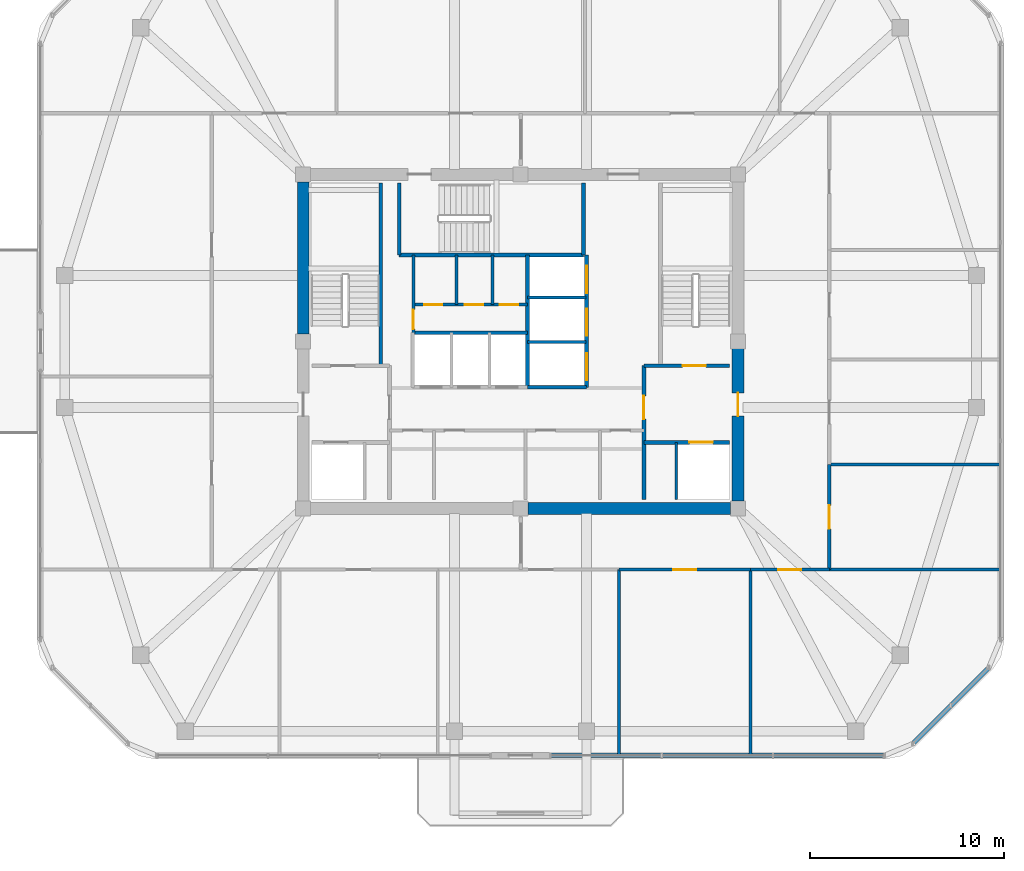
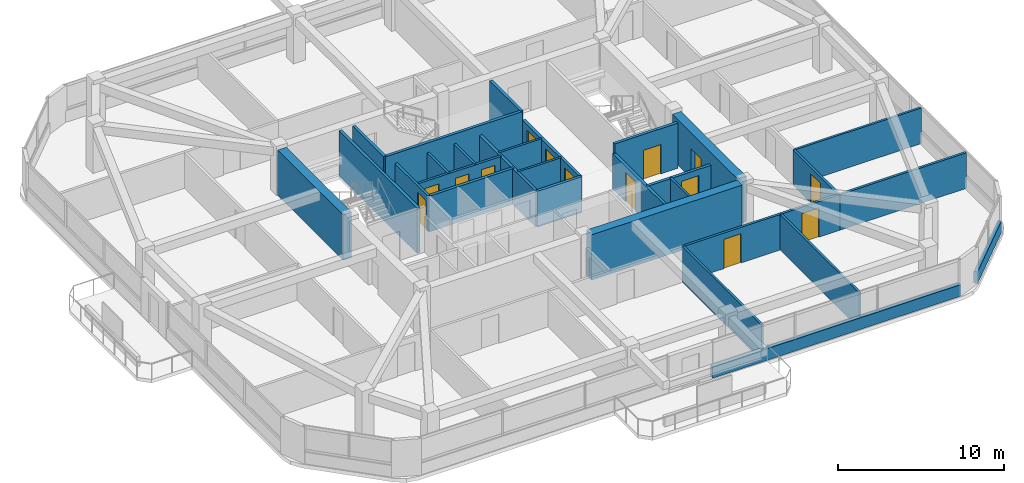
# One storey, part 9 of 12: 30 walls, 14 doors, 14 openings.
"""IFC4 building model written with IfcOpenShell, lengths in metres."""

from ifc_helpers import new_model, si_unit, derived_unit, direction, frame, frame_2d, origin, place, context, subcontext, project, spatial, rectangle, extrude, material, layer, layer_set, type_object, element, fill, save


model = new_model("IFC4")

# Units and contexts
model_context = context("Model", 3, precision=1e-05, world=origin(), true_north=direction((0.0, 1.0)))
body_context = subcontext(model_context, "Body", "Model", "MODEL_VIEW")
ifc_project = project(units=[si_unit("LENGTHUNIT", "METRE"), si_unit("AREAUNIT", "SQUARE_METRE"), si_unit("VOLUMEUNIT", "CUBIC_METRE"), si_unit("PLANEANGLEUNIT", "RADIAN"), si_unit("MASSUNIT", "GRAM", prefix="KILO"), derived_unit("THERMALTRANSMITTANCEUNIT", [(si_unit("POWERUNIT", "WATT"), 1), (si_unit("LENGTHUNIT", "METRE"), -2), (si_unit("THERMODYNAMICTEMPERATUREUNIT", "KELVIN"), -1)])], contexts=[model_context])

# Site, building, storey
site_placement = place(None, origin())
site = spatial("IfcSite", under=ifc_project, at=site_placement, CompositionType="ELEMENT")
building_placement = place(site_placement, origin())
building = spatial("IfcBuilding", under=site, at=building_placement, Name="Koralith Skygarden Medical Center", CompositionType="ELEMENT")
storey_placement = place(building_placement, frame((0.0, 0.0, 278.820068359375)))
storey = spatial("IfcBuildingStorey", under=building, at=storey_placement, Name="L72", CompositionType="ELEMENT", Elevation=278.820068359375)

# Walls
ifc_material_1 = material(Name="Gypsum Board Partition")
ifc_layer_1 = layer(ifc_material_1, 0.14990234375)
ifc_layer_set_1 = layer_set([ifc_layer_1], Name="Gypsum Board Partition")
wall_type_1 = type_object("IfcWallType", Name="Clinical Acoustic Partition 150", PredefinedType="PARTITIONING", material=ifc_layer_set_1)
for number, where, z_axis, x_axis, name in (
    (1, (33.699951171875, 27.800048828125, 0.0), (0.0, 0.0, 1.0), (0.0, 1.0, 0.0), "L72 Clinical Acoustic Partition 150 W-CORE-L72-FLEX-V2A"),
    (2, (35.56005859375, 27.800048828125, 0.0), (0.0, 0.0, 1.0), (0.0, 1.0, 0.0), "L72 Clinical Acoustic Partition 150 W-CORE-L72-FLEX-V2B"),
):
    element("IfcWall", number, at=place(storey_placement, frame(where, z_axis=z_axis, x_axis=x_axis)), inside=storey, type_object=wall_type_1, Name=name, PredefinedType="PARTITIONING", context=body_context, shape_type="SweptSolid", body=[
        extrude(rectangle(XDim=2.56005859375, YDim=0.14990234375, at=frame_2d((1.280029296875, 0.0))), origin(), (0.0, 0.0, 1.0), 2.60986328125),
    ])
for number, where, z_axis, x_axis, name in (
    (3, (42.076904296875, 14.14990234375, 0.0), (0.0, 0.0, 1.0), (0.0, -1.0, 0.0), "L72 Clinical Acoustic Partition 150 W-PART-L72-S-03"),
    (4, (48.840087890625, 14.14990234375, 0.0), (0.0, 0.0, 1.0), (0.0, -1.0, 0.0), "L72 Clinical Acoustic Partition 150 W-PART-L72-S-04"),
):
    element("IfcWall", number, at=place(storey_placement, frame(where, z_axis=z_axis, x_axis=x_axis)), inside=storey, type_object=wall_type_1, Name=name, PredefinedType="PARTITIONING", context=body_context, shape_type="SweptSolid", body=[
        extrude(rectangle(XDim=9.5498046875, YDim=0.14990234375, at=frame_2d((4.77490234375, 0.0))), origin(), (0.0, 0.0, 1.0), 2.60986328125),
    ])
wall_1_placement = place(storey_placement, frame((52.89990234375, 19.554931640625, 0.0), z_axis=(0.0, 0.0, 1.0), x_axis=(1.0, 0.0, 0.0)))
element("IfcWall", 5, at=wall_1_placement, inside=storey, type_object=wall_type_1, Name="L72 Clinical Acoustic Partition 150 W-PART-L72-E-01", PredefinedType="PARTITIONING", context=body_context, shape_type="SweptSolid", body=[
    extrude(rectangle(XDim=8.800048828125, YDim=0.14990234375, at=frame_2d((4.39990234375, 0.0))), origin(), (0.0, 0.0, 1.0), 2.60986328125),
])
ifc_layer_2 = layer(ifc_material_1, 0.1650390625)
ifc_layer_set_2 = layer_set([ifc_layer_2], Name="Gypsum Board Partition")
wall_type_2 = type_object("IfcWallType", Name="Clinical Corridor Partition 165", PredefinedType="PARTITIONING", material=ifc_layer_set_2)
wall_2_placement = place(storey_placement, frame((52.89990234375, 14.14990234375, 0.0), z_axis=(0.0, 0.0, 1.0), x_axis=(1.0, 0.0, 0.0)))
element("IfcWall", 6, at=wall_2_placement, inside=storey, type_object=wall_type_2, Name="L72 Clinical Corridor Partition 165 W-WB-L72-SE", PredefinedType="PARTITIONING", context=body_context, shape_type="SweptSolid", body=[
    extrude(rectangle(XDim=8.800048828125, YDim=0.1650390625, at=frame_2d((4.39990234375, 0.0))), origin(), (0.0, 0.0, 1.0), 2.60986328125),
])

# Wall, opening, door
wall_3_placement = place(storey_placement, frame((42.076904296875, 14.14990234375, 0.0), z_axis=(0.0, 0.0, 1.0), x_axis=(1.0, 0.0, 0.0)))
wall_3 = element("IfcWall", 7, at=wall_3_placement, inside=storey, type_object=wall_type_2, Name="L72 Clinical Corridor Partition 165 W-CORR-L72-S-04", PredefinedType="PARTITIONING", context=body_context, shape_type="SweptSolid", body=[
    extrude(rectangle(XDim=6.76318359375, YDim=0.1650390625, at=frame_2d((3.381591796875, 0.0))), origin(), (0.0, 0.0, 1.0), 2.60986328125),
])
opening_1_placement = place(wall_3_placement, frame((2.781982421875, 0.0, 0.0)))
opening_1 = element("IfcOpeningElement", 8, at=opening_1_placement, cuts=wall_3, Name="Opening D-CLN", PredefinedType="OPENING", context=body_context, shape_type="SweptSolid", body=[
    extrude(rectangle(XDim=1.199951171875, YDim=2.14990234375, at=frame_2d((0.60009765625, 1.074951171875))), frame((0.0, 0.092529296875, 0.0), z_axis=(0.0, -1.0, 0.0), x_axis=(1.0, 0.0, 0.0)), (0.0, 0.0, 1.0), 0.18505859375),
])
ifc_material_2 = material(Name="Aluminium 6063-T6", Category="aluminium")
door_type_1 = type_object("IfcDoorType", Name="Clinical Corridor Door D-CLN 1200", OperationType="NOTDEFINED", PredefinedType="DOOR", material=ifc_material_2)
door_1_placement = place(opening_1_placement, frame((1.199951171875, 0.0, 0.0), z_axis=(0.0, 0.0, 1.0), x_axis=(-1.0, 0.0, 0.0)))
door_1 = element("IfcDoor", 9, at=door_1_placement, inside=storey, type_object=door_type_1, Name="L72 Physician Reading Lounge 08 Door", OperationType="SINGLE_SWING_LEFT", OverallHeight=2.14990234375, OverallWidth=1.199951171875, PredefinedType="DOOR", context=body_context, shape_type="SweptSolid", body=[
    extrude(rectangle(XDim=1.199951171875, YDim=2.14990234375, at=frame_2d((0.60009765625, 1.074951171875))), frame((0.0, 0.02490234375, 0.0), z_axis=(0.0, -1.0, 0.0), x_axis=(1.0, 0.0, 0.0)), (0.0, 0.0, 1.0), 0.050048828125),
])
fill(opening_1, door_1)

wall_4_placement = place(storey_placement, frame((48.840087890625, 14.14990234375, 0.0), z_axis=(0.0, 0.0, 1.0), x_axis=(1.0, 0.0, 0.0)))
wall_4 = element("IfcWall", 10, at=wall_4_placement, inside=storey, type_object=wall_type_2, Name="L72 Clinical Corridor Partition 165 W-CORR-L72-S-05", PredefinedType="PARTITIONING", context=body_context, shape_type="SweptSolid", body=[
    extrude(rectangle(XDim=4.059814453125, YDim=0.1650390625, at=frame_2d((2.02978515625, 0.0))), origin(), (0.0, 0.0, 1.0), 2.60986328125),
])
opening_2_placement = place(wall_4_placement, frame((1.429931640625, 0.0, 0.0)))
opening_2 = element("IfcOpeningElement", 11, at=opening_2_placement, cuts=wall_4, Name="Opening D-CLN", PredefinedType="OPENING", context=body_context, shape_type="SweptSolid", body=[
    extrude(rectangle(XDim=1.199951171875, YDim=2.14990234375, at=frame_2d((0.60009765625, 1.074951171875))), frame((0.0, 0.092529296875, 0.0), z_axis=(0.0, -1.0, 0.0), x_axis=(1.0, 0.0, 0.0)), (0.0, 0.0, 1.0), 0.18505859375),
])
door_2_placement = place(opening_2_placement, frame((1.199951171875, 0.0, 0.0), z_axis=(0.0, 0.0, 1.0), x_axis=(-1.0, 0.0, 0.0)))
door_2 = element("IfcDoor", 12, at=door_2_placement, inside=storey, type_object=door_type_1, Name="L72 Clinical Consultation Office 09 Door", OperationType="SINGLE_SWING_RIGHT", OverallHeight=2.14990234375, OverallWidth=1.199951171875, PredefinedType="DOOR", context=body_context, shape_type="SweptSolid", body=[
    extrude(rectangle(XDim=1.199951171875, YDim=2.14990234375, at=frame_2d((0.60009765625, 1.074951171875))), frame((0.0, 0.02490234375, 0.0), z_axis=(0.0, -1.0, 0.0), x_axis=(1.0, 0.0, 0.0)), (0.0, 0.0, 1.0), 0.050048828125),
])
fill(opening_2, door_2)

wall_5_placement = place(storey_placement, frame((52.89990234375, 14.14990234375, 0.0), z_axis=(0.0, 0.0, 1.0), x_axis=(0.0, 1.0, 0.0)))
wall_5 = element("IfcWall", 13, at=wall_5_placement, inside=storey, type_object=wall_type_2, Name="L72 Clinical Corridor Partition 165 W-CORR-L72-E-01", PredefinedType="PARTITIONING", context=body_context, shape_type="SweptSolid", body=[
    extrude(rectangle(XDim=5.405029296875, YDim=0.1650390625, at=frame_2d((2.70263671875, 0.0))), origin(), (0.0, 0.0, 1.0), 2.60986328125),
])
opening_3_placement = place(wall_5_placement, frame((2.10205078125, 0.0, 0.0)))
opening_3 = element("IfcOpeningElement", 14, at=opening_3_placement, cuts=wall_5, Name="Opening D-CLN", PredefinedType="OPENING", context=body_context, shape_type="SweptSolid", body=[
    extrude(rectangle(XDim=1.199951171875, YDim=2.14990234375, at=frame_2d((0.60009765625, 1.074951171875))), frame((0.0, 0.092529296875, 0.0), z_axis=(0.0, -1.0, 0.0), x_axis=(1.0, 0.0, 0.0)), (0.0, 0.0, 1.0), 0.18505859375),
])
door_3_placement = place(opening_3_placement, origin())
door_3 = element("IfcDoor", 15, at=door_3_placement, inside=storey, type_object=door_type_1, Name="L72 Hospital Quality Huddle Room 12 Door", OperationType="SINGLE_SWING_LEFT", OverallHeight=2.14990234375, OverallWidth=1.199951171875, PredefinedType="DOOR", context=body_context, shape_type="SweptSolid", body=[
    extrude(rectangle(XDim=1.199951171875, YDim=2.14990234375, at=frame_2d((0.60009765625, 1.074951171875))), frame((0.0, 0.02490234375, 0.0), z_axis=(0.0, -1.0, 0.0), x_axis=(1.0, 0.0, 0.0)), (0.0, 0.0, 1.0), 0.050048828125),
])
fill(opening_3, door_3)

ifc_layer_3 = layer(ifc_material_1, 0.199951171875)
ifc_layer_set_3 = layer_set([ifc_layer_3], Name="Gypsum Board Partition")
wall_type_3 = type_object("IfcWallType", Name="Fire Shaft Wall 200", PredefinedType="SOLIDWALL", material=ifc_layer_set_3)
wall_6_placement = place(storey_placement, frame((43.35009765625, 20.699951171875, 0.0), z_axis=(0.0, 0.0, 1.0), x_axis=(1.0, 0.0, 0.0)))
wall_6 = element("IfcWall", 16, at=wall_6_placement, inside=storey, type_object=wall_type_3, Name="L72 Fire Shaft Wall 200 W-CORE-L72-FF2-N", PredefinedType="SOLIDWALL", context=body_context, shape_type="SweptSolid", body=[
    extrude(rectangle(XDim=4.39990234375, YDim=0.199951171875, at=frame_2d((2.199951171875, 0.0))), origin(), (0.0, 0.0, 1.0), 2.60986328125),
])
opening_4_placement = place(wall_6_placement, frame((2.35009765625, 0.0, 0.0)))
opening_4 = element("IfcOpeningElement", 17, at=opening_4_placement, cuts=wall_6, Name="Opening LD-FF", PredefinedType="OPENING", context=body_context, shape_type="SweptSolid", body=[
    extrude(rectangle(XDim=1.199951171875, YDim=2.14990234375, at=frame_2d((0.60009765625, 1.074951171875))), frame((0.0, 0.10986328125, 0.0), z_axis=(0.0, -1.0, 0.0), x_axis=(1.0, 0.0, 0.0)), (0.0, 0.0, 1.0), 0.219970703125),
])
ifc_material_3 = material(Name="Steel ASTM A500 Grade C", Category="steel")
door_type_2 = type_object("IfcDoorType", Name="Fire Lift Sliding Landing Door LD-FF 1200", OperationType="NOTDEFINED", PredefinedType="DOOR", material=ifc_material_3)
door_4_placement = place(opening_4_placement, origin())
door_4 = element("IfcDoor", 18, at=door_4_placement, inside=storey, type_object=door_type_2, Name="L72 Fire Service Elevator FF2 Landing Door", OperationType="SLIDING_TO_RIGHT", OverallHeight=2.14990234375, OverallWidth=1.199951171875, PredefinedType="DOOR", context=body_context, shape_type="SweptSolid", body=[
    extrude(rectangle(XDim=1.199951171875, YDim=2.14990234375, at=frame_2d((0.60009765625, 1.074951171875))), frame((0.0, 0.02490234375, 0.0), z_axis=(0.0, -1.0, 0.0), x_axis=(1.0, 0.0, 0.0)), (0.0, 0.0, 1.0), 0.050048828125),
])
fill(opening_4, door_4)

wall_7_placement = place(storey_placement, frame((43.35009765625, 17.75, 0.0), z_axis=(0.0, 0.0, 1.0), x_axis=(0.0, 1.0, 0.0)))
wall_7 = element("IfcWall", 19, at=wall_7_placement, inside=storey, type_object=wall_type_3, Name="L72 Fire Shaft Wall 200 W-CORE-L72-FSAEE-W", PredefinedType="SOLIDWALL", context=body_context, shape_type="SweptSolid", body=[
    extrude(rectangle(XDim=6.89990234375, YDim=0.199951171875, at=frame_2d((3.449951171875, 0.0))), origin(), (0.0, 0.0, 1.0), 2.60986328125),
])
opening_5_placement = place(wall_7_placement, frame((4.14990234375, 0.0, 0.0)))
opening_5 = element("IfcOpeningElement", 20, at=opening_5_placement, cuts=wall_7, Name="Opening D-ST60", PredefinedType="OPENING", context=body_context, shape_type="SweptSolid", body=[
    extrude(rectangle(XDim=1.199951171875, YDim=2.14990234375, at=frame_2d((0.60009765625, 1.074951171875))), frame((0.0, 0.10986328125, 0.0), z_axis=(0.0, -1.0, 0.0), x_axis=(1.0, 0.0, 0.0)), (0.0, 0.0, 1.0), 0.219970703125),
])
door_type_3 = type_object("IfcDoorType", Name="Smokeproof Stair Fire Door FD60S 1200", OperationType="NOTDEFINED", PredefinedType="DOOR", material=ifc_material_3)
door_5_placement = place(opening_5_placement, frame((1.199951171875, 0.0, 0.0), z_axis=(0.0, 0.0, 1.0), x_axis=(-1.0, 0.0, 0.0)))
door_5 = element("IfcDoor", 21, at=door_5_placement, inside=storey, type_object=door_type_3, Name="L72 East Firefighting Lobby Inner Fire Door", OperationType="SINGLE_SWING_RIGHT", OverallHeight=2.14990234375, OverallWidth=1.199951171875, PredefinedType="DOOR", context=body_context, shape_type="SweptSolid", body=[
    extrude(rectangle(XDim=1.199951171875, YDim=2.14990234375, at=frame_2d((0.60009765625, 1.074951171875))), frame((0.0, 0.02490234375, 0.0), z_axis=(0.0, -1.0, 0.0), x_axis=(1.0, 0.0, 0.0)), (0.0, 0.0, 1.0), 0.050048828125),
])
fill(opening_5, door_5)

# Walls
wall_8_placement = place(storey_placement, frame((31.449951171875, 26.35009765625, 0.0), z_axis=(0.0, 0.0, 1.0), x_axis=(1.0, 0.0, 0.0)))
element("IfcWall", 22, at=wall_8_placement, inside=storey, type_object=wall_type_3, Name="L72 Fire Shaft Wall 200 W-CORE-L72-PH-N", PredefinedType="SOLIDWALL", context=body_context, shape_type="SweptSolid", body=[
    extrude(rectangle(XDim=5.900146484375, YDim=0.199951171875, at=frame_2d((2.9501953125, 0.0))), origin(), (0.0, 0.0, 1.0), 2.60986328125),
])
wall_9_placement = place(storey_placement, frame((37.35009765625, 23.5400390625, 0.0), z_axis=(0.0, 0.0, 1.0), x_axis=(0.0, 1.0, 0.0)))
element("IfcWall", 23, at=wall_9_placement, inside=storey, type_object=wall_type_3, Name="L72 Fire Shaft Wall 200 W-CORE-L72-SV-W", PredefinedType="SOLIDWALL", context=body_context, shape_type="SweptSolid", body=[
    extrude(rectangle(XDim=6.820068359375, YDim=0.199951171875, at=frame_2d((3.41015625, 0.0))), origin(), (0.0, 0.0, 1.0), 2.60986328125),
])
wall_10_placement = place(storey_placement, frame((37.35009765625, 23.5400390625, 0.0), z_axis=(0.0, 0.0, 1.0), x_axis=(1.0, 0.0, 0.0)))
element("IfcWall", 24, at=wall_10_placement, inside=storey, type_object=wall_type_3, Name="L72 Fire Shaft Wall 200 W-CORE-L72-SV-S", PredefinedType="SOLIDWALL", context=body_context, shape_type="SweptSolid", body=[
    extrude(rectangle(XDim=3.0498046875, YDim=0.199951171875, at=frame_2d((1.52490234375, 0.0))), origin(), (0.0, 0.0, 1.0), 2.60986328125),
])

# Wall, openings, doors
wall_11_placement = place(storey_placement, frame((40.39990234375, 23.5400390625, 0.0), z_axis=(0.0, 0.0, 1.0), x_axis=(0.0, 1.0, 0.0)))
wall_11 = element("IfcWall", 25, at=wall_11_placement, inside=storey, type_object=wall_type_3, Name="L72 Fire Shaft Wall 200 W-CORE-L72-SV-E", PredefinedType="SOLIDWALL", context=body_context, shape_type="SweptSolid", body=[
    extrude(rectangle(XDim=6.820068359375, YDim=0.199951171875, at=frame_2d((3.41015625, 0.0))), origin(), (0.0, 0.0, 1.0), 2.60986328125),
])
opening_6_placement = place(wall_11_placement, frame((0.35009765625, 0.0, 0.0)))
opening_6 = element("IfcOpeningElement", 26, at=opening_6_placement, cuts=wall_11, Name="Opening LD-SV", PredefinedType="OPENING", context=body_context, shape_type="SweptSolid", body=[
    extrude(rectangle(XDim=1.39990234375, YDim=2.199951171875, at=frame_2d((0.699951171875, 1.10009765625))), frame((0.0, 0.10986328125, 0.0), z_axis=(0.0, -1.0, 0.0), x_axis=(1.0, 0.0, 0.0)), (0.0, 0.0, 1.0), 0.219970703125),
])
opening_7_placement = place(wall_11_placement, frame((2.64990234375, 0.0, 0.0)))
opening_7 = element("IfcOpeningElement", 27, at=opening_7_placement, cuts=wall_11, Name="Opening LD-SV", PredefinedType="OPENING", context=body_context, shape_type="SweptSolid", body=[
    extrude(rectangle(XDim=1.39990234375, YDim=2.199951171875, at=frame_2d((0.699951171875, 1.10009765625))), frame((0.0, 0.10986328125, 0.0), z_axis=(0.0, -1.0, 0.0), x_axis=(1.0, 0.0, 0.0)), (0.0, 0.0, 1.0), 0.219970703125),
])
opening_8_placement = place(wall_11_placement, frame((4.85009765625, 0.0, 0.0)))
opening_8 = element("IfcOpeningElement", 28, at=opening_8_placement, cuts=wall_11, Name="Opening LD-SV", PredefinedType="OPENING", context=body_context, shape_type="SweptSolid", body=[
    extrude(rectangle(XDim=1.39990234375, YDim=2.199951171875, at=frame_2d((0.699951171875, 1.10009765625))), frame((0.0, 0.10986328125, 0.0), z_axis=(0.0, -1.0, 0.0), x_axis=(1.0, 0.0, 0.0)), (0.0, 0.0, 1.0), 0.219970703125),
])
door_type_4 = type_object("IfcDoorType", Name="Bed Lift Sliding Landing Door LD-SV 1400", OperationType="NOTDEFINED", PredefinedType="DOOR", material=ifc_material_3)
door_6_placement = place(opening_6_placement, origin())
door_6 = element("IfcDoor", 29, at=door_6_placement, inside=storey, type_object=door_type_4, Name="L72 Bed Elevator BD1 Landing Door", OperationType="SLIDING_TO_LEFT", OverallHeight=2.199951171875, OverallWidth=1.39990234375, PredefinedType="DOOR", context=body_context, shape_type="SweptSolid", body=[
    extrude(rectangle(XDim=1.39990234375, YDim=2.199951171875, at=frame_2d((0.699951171875, 1.10009765625))), frame((0.0, 0.02490234375, 0.0), z_axis=(0.0, -1.0, 0.0), x_axis=(1.0, 0.0, 0.0)), (0.0, 0.0, 1.0), 0.050048828125),
])
fill(opening_6, door_6)
door_7_placement = place(opening_7_placement, origin())
door_7 = element("IfcDoor", 30, at=door_7_placement, inside=storey, type_object=door_type_4, Name="L72 Service Elevator BD2 Landing Door", OperationType="SLIDING_TO_LEFT", OverallHeight=2.199951171875, OverallWidth=1.39990234375, PredefinedType="DOOR", context=body_context, shape_type="SweptSolid", body=[
    extrude(rectangle(XDim=1.39990234375, YDim=2.199951171875, at=frame_2d((0.699951171875, 1.10009765625))), frame((0.0, 0.02490234375, 0.0), z_axis=(0.0, -1.0, 0.0), x_axis=(1.0, 0.0, 0.0)), (0.0, 0.0, 1.0), 0.050048828125),
])
fill(opening_7, door_7)
door_8_placement = place(opening_8_placement, origin())
door_8 = element("IfcDoor", 31, at=door_8_placement, inside=storey, type_object=door_type_4, Name="L72 Trauma Elevator TR1 Landing Door", OperationType="SLIDING_TO_RIGHT", OverallHeight=2.199951171875, OverallWidth=1.39990234375, PredefinedType="DOOR", context=body_context, shape_type="SweptSolid", body=[
    extrude(rectangle(XDim=1.39990234375, YDim=2.199951171875, at=frame_2d((0.699951171875, 1.10009765625))), frame((0.0, 0.02490234375, 0.0), z_axis=(0.0, -1.0, 0.0), x_axis=(1.0, 0.0, 0.0)), (0.0, 0.0, 1.0), 0.050048828125),
])
fill(opening_8, door_8)

# Walls
ifc_material_4 = material(Name="Warm Oolitic Limestone Cladding", Category="masonry")
ifc_layer_4 = layer(ifc_material_4, 0.239990234375)
ifc_layer_set_4 = layer_set([ifc_layer_4], Name="Warm Oolitic Limestone Cladding")
wall_type_4 = type_object("IfcWallType", Name="Limestone Spandrel Sill Backup Wall 240", PredefinedType="SOLIDWALL", material=ifc_layer_set_4)
wall_12_placement = place(storey_placement, frame((38.5390625, 4.580078125, 0.0), z_axis=(0.0, 0.0, 1.0), x_axis=(1.0, 0.0, 0.0)))
element("IfcWall", 32, at=wall_12_placement, inside=storey, type_object=wall_type_4, Name="L72 Sill Spandrel S-R", PredefinedType="SOLIDWALL", context=body_context, shape_type="SweptSolid", body=[
    extrude(rectangle(XDim=17.2060546875, YDim=0.239990234375, at=frame_2d((8.60302734375, 0.0))), origin(), (0.0, 0.0, 1.0), 0.849853515625),
])
wall_13_placement = place(storey_placement, frame((57.196044921875, 5.180908203125, 0.0), z_axis=(0.0, 0.0, 1.0), x_axis=(0.707084777957, 0.707128783731, 0.0)))
element("IfcWall", 33, at=wall_13_placement, inside=storey, type_object=wall_type_4, Name="L72 Sill Spandrel SE", PredefinedType="SOLIDWALL", context=body_context, shape_type="SweptSolid", body=[
    extrude(rectangle(XDim=5.5478515625, YDim=0.239990234375, at=frame_2d((2.77392578125, 0.0))), origin(), (0.0, 0.0, 1.0), 0.849853515625),
])

# Wall, opening, door
ifc_layer_5 = layer(ifc_material_1, 0.1650390625)
ifc_layer_set_5 = layer_set([ifc_layer_5], Name="Gypsum Board Partition")
wall_type_5 = type_object("IfcWallType", Name="Plumbing Wet Wall 165", PredefinedType="PLUMBINGWALL", material=ifc_layer_set_5)
wall_14_placement = place(storey_placement, frame((31.47998046875, 26.320068359375, 0.0), z_axis=(0.0, 0.0, 1.0), x_axis=(0.0, 1.0, 0.0)))
wall_14 = element("IfcWall", 34, at=wall_14_placement, inside=storey, type_object=wall_type_5, Name="L72 Plumbing Wet Wall 165 W-CORE-L72-FLEX-W", PredefinedType="PLUMBINGWALL", context=body_context, shape_type="SweptSolid", body=[
    extrude(rectangle(XDim=4.0400390625, YDim=0.1650390625, at=frame_2d((2.02001953125, 0.0))), origin(), (0.0, 0.0, 1.0), 2.60986328125),
])
opening_9_placement = place(wall_14_placement, frame((0.219970703125, 0.0, 0.0)))
opening_9 = element("IfcOpeningElement", 35, at=opening_9_placement, cuts=wall_14, Name="Opening D-SUP", PredefinedType="OPENING", context=body_context, shape_type="SweptSolid", body=[
    extrude(rectangle(XDim=1.0, YDim=2.14990234375, at=frame_2d((0.5, 1.074951171875))), frame((0.0, 0.092529296875, 0.0), z_axis=(0.0, -1.0, 0.0), x_axis=(1.0, 0.0, 0.0)), (0.0, 0.0, 1.0), 0.18505859375),
])
door_type_5 = type_object("IfcDoorType", Name="Clinical Support Door D-SUP 1000", OperationType="NOTDEFINED", PredefinedType="DOOR", material=ifc_material_2)
door_9_placement = place(opening_9_placement, frame((1.0, 0.0, 0.0), z_axis=(0.0, 0.0, 1.0), x_axis=(-1.0, 0.0, 0.0)))
door_9 = element("IfcDoor", 36, at=door_9_placement, inside=storey, type_object=door_type_5, Name="L72 Core Service Alcove Door", OperationType="SINGLE_SWING_LEFT", OverallHeight=2.14990234375, OverallWidth=1.0, PredefinedType="DOOR", context=body_context, shape_type="SweptSolid", body=[
    extrude(rectangle(XDim=1.0, YDim=2.14990234375, at=frame_2d((0.5, 1.074951171875))), frame((0.0, 0.02490234375, 0.0), z_axis=(0.0, -1.0, 0.0), x_axis=(1.0, 0.0, 0.0)), (0.0, 0.0, 1.0), 0.050048828125),
])
fill(opening_9, door_9)

# Wall, openings, doors
wall_15_placement = place(storey_placement, frame((31.47998046875, 27.800048828125, 0.0), z_axis=(0.0, 0.0, 1.0), x_axis=(1.0, 0.0, 0.0)))
wall_15 = element("IfcWall", 37, at=wall_15_placement, inside=storey, type_object=wall_type_5, Name="L72 Plumbing Wet Wall 165 W-CORE-L72-FLEX-H2", PredefinedType="PLUMBINGWALL", context=body_context, shape_type="SweptSolid", body=[
    extrude(rectangle(XDim=5.8701171875, YDim=0.1650390625, at=frame_2d((2.93505859375, 0.0))), origin(), (0.0, 0.0, 1.0), 2.60986328125),
])
opening_10_placement = place(wall_15_placement, frame((0.550048828125, 0.0, 0.0)))
opening_10 = element("IfcOpeningElement", 38, at=opening_10_placement, cuts=wall_15, Name="Opening D-WC", PredefinedType="OPENING", context=body_context, shape_type="SweptSolid", body=[
    extrude(rectangle(XDim=0.949951171875, YDim=2.10009765625, at=frame_2d((0.47509765625, 1.050048828125))), frame((0.0, 0.092529296875, 0.0), z_axis=(0.0, -1.0, 0.0), x_axis=(1.0, 0.0, 0.0)), (0.0, 0.0, 1.0), 0.18505859375),
])
opening_11_placement = place(wall_15_placement, frame((2.64990234375, 0.0, 0.0)))
opening_11 = element("IfcOpeningElement", 39, at=opening_11_placement, cuts=wall_15, Name="Opening D-WC", PredefinedType="OPENING", context=body_context, shape_type="SweptSolid", body=[
    extrude(rectangle(XDim=0.949951171875, YDim=2.10009765625, at=frame_2d((0.47509765625, 1.050048828125))), frame((0.0, 0.092529296875, 0.0), z_axis=(0.0, -1.0, 0.0), x_axis=(1.0, 0.0, 0.0)), (0.0, 0.0, 1.0), 0.18505859375),
])
opening_12_placement = place(wall_15_placement, frame((4.449951171875, 0.0, 0.0)))
opening_12 = element("IfcOpeningElement", 40, at=opening_12_placement, cuts=wall_15, Name="Opening D-WC", PredefinedType="OPENING", context=body_context, shape_type="SweptSolid", body=[
    extrude(rectangle(XDim=0.949951171875, YDim=2.10009765625, at=frame_2d((0.47509765625, 1.050048828125))), frame((0.0, 0.092529296875, 0.0), z_axis=(0.0, -1.0, 0.0), x_axis=(1.0, 0.0, 0.0)), (0.0, 0.0, 1.0), 0.18505859375),
])
door_type_6 = type_object("IfcDoorType", Name="Accessible Toilet Door D-WC 950", OperationType="NOTDEFINED", PredefinedType="DOOR", material=ifc_material_2)
door_10_placement = place(opening_10_placement, origin())
door_10 = element("IfcDoor", 41, at=door_10_placement, inside=storey, type_object=door_type_6, Name="L72 Core Accessible WC Door", OperationType="SINGLE_SWING_LEFT", OverallHeight=2.10009765625, OverallWidth=0.949951171875, PredefinedType="DOOR", context=body_context, shape_type="SweptSolid", body=[
    extrude(rectangle(XDim=0.949951171875, YDim=2.10009765625, at=frame_2d((0.47509765625, 1.050048828125))), frame((0.0, 0.02490234375, 0.0), z_axis=(0.0, -1.0, 0.0), x_axis=(1.0, 0.0, 0.0)), (0.0, 0.0, 1.0), 0.050048828125),
])
fill(opening_10, door_10)
door_11_placement = place(opening_11_placement, origin())
door_11 = element("IfcDoor", 42, at=door_11_placement, inside=storey, type_object=door_type_6, Name="L72 Soiled Sluice Door", OperationType="SINGLE_SWING_LEFT", OverallHeight=2.10009765625, OverallWidth=0.949951171875, PredefinedType="DOOR", context=body_context, shape_type="SweptSolid", body=[
    extrude(rectangle(XDim=0.949951171875, YDim=2.10009765625, at=frame_2d((0.47509765625, 1.050048828125))), frame((0.0, 0.02490234375, 0.0), z_axis=(0.0, -1.0, 0.0), x_axis=(1.0, 0.0, 0.0)), (0.0, 0.0, 1.0), 0.050048828125),
])
fill(opening_11, door_11)
door_12_placement = place(opening_12_placement, origin())
door_12 = element("IfcDoor", 43, at=door_12_placement, inside=storey, type_object=door_type_6, Name="L72 Clean Linen Store Door", OperationType="SINGLE_SWING_RIGHT", OverallHeight=2.10009765625, OverallWidth=0.949951171875, PredefinedType="DOOR", context=body_context, shape_type="SweptSolid", body=[
    extrude(rectangle(XDim=0.949951171875, YDim=2.10009765625, at=frame_2d((0.47509765625, 1.050048828125))), frame((0.0, 0.02490234375, 0.0), z_axis=(0.0, -1.0, 0.0), x_axis=(1.0, 0.0, 0.0)), (0.0, 0.0, 1.0), 0.050048828125),
])
fill(opening_12, door_12)

# Walls
ifc_layer_6 = layer(ifc_material_1, 0.14990234375)
ifc_layer_set_6 = layer_set([ifc_layer_6], Name="Gypsum Board Partition")
wall_type_6 = type_object("IfcWallType", Name="Shaft Partition Wall 150", PredefinedType="PARTITIONING", material=ifc_layer_set_6)
wall_16_placement = place(storey_placement, frame((45.02001953125, 17.75, 0.0), z_axis=(0.0, 0.0, 1.0), x_axis=(0.0, 1.0, 0.0)))
element("IfcWall", 44, at=wall_16_placement, inside=storey, type_object=wall_type_6, Name="L72 Shaft Partition Wall 150 W-CORE-L72-RSRE-DIV", PredefinedType="PARTITIONING", context=body_context, shape_type="SweptSolid", body=[
    extrude(rectangle(XDim=2.949951171875, YDim=0.14990234375, at=frame_2d((1.47509765625, 0.0))), origin(), (0.0, 0.0, 1.0), 2.60986328125),
])
for number, where, z_axis, x_axis, name in (
    (45, (37.3701171875, 25.8701171875, 0.0), (0.0, 0.0, 1.0), (1.0, 0.0, 0.0), "L72 Shaft Partition Wall 150 W-CORE-L72-SV-D1"),
    (46, (37.3701171875, 28.169921875, 0.0), (0.0, 0.0, 1.0), (1.0, 0.0, 0.0), "L72 Shaft Partition Wall 150 W-CORE-L72-SV-D2"),
):
    element("IfcWall", number, at=place(storey_placement, frame(where, z_axis=z_axis, x_axis=x_axis)), inside=storey, type_object=wall_type_6, Name=name, PredefinedType="PARTITIONING", context=body_context, shape_type="SweptSolid", body=[
        extrude(rectangle(XDim=3.009765625, YDim=0.14990234375, at=frame_2d((1.5048828125, 0.0))), origin(), (0.0, 0.0, 1.0), 2.60986328125),
    ])
ifc_material_5 = material(Name="Concrete C45/55", Category="concrete")
ifc_layer_7 = layer(ifc_material_5, 0.199951171875)
ifc_layer_set_7 = layer_set([ifc_layer_7], Name="Concrete C45/55")
wall_type_7 = type_object("IfcWallType", Name="Structural Stair Shaft Wall 200", PredefinedType="SHEAR", material=ifc_layer_set_7)
wall_17_placement = place(storey_placement, frame((29.800048828125, 24.64990234375, 0.0), z_axis=(0.0, 0.0, 1.0), x_axis=(0.0, 1.0, 0.0)))
element("IfcWall", 47, at=wall_17_placement, inside=storey, type_object=wall_type_7, Name="L72 Structural Stair Shaft Wall 200 W-CORE-L72-ST1-E", PredefinedType="SHEAR", context=body_context, shape_type="SweptSolid", body=[
    extrude(rectangle(XDim=9.400146484375, YDim=0.199951171875, at=frame_2d((4.7001953125, 0.0))), origin(), (0.0, 0.0, 1.0), 3.31982421875),
])

# Wall, opening, door
wall_18_placement = place(storey_placement, frame((43.35009765625, 24.64990234375, 0.0), z_axis=(0.0, 0.0, 1.0), x_axis=(1.0, 0.0, 0.0)))
wall_18 = element("IfcWall", 48, at=wall_18_placement, inside=storey, type_object=wall_type_7, Name="L72 Structural Stair Shaft Wall 200 W-CORE-L72-ST2-S", PredefinedType="SHEAR", context=body_context, shape_type="SweptSolid", body=[
    extrude(rectangle(XDim=4.39990234375, YDim=0.199951171875, at=frame_2d((2.199951171875, 0.0))), origin(), (0.0, 0.0, 1.0), 3.31982421875),
])
opening_13_placement = place(wall_18_placement, frame((2.0, 0.0, 0.0)))
opening_13 = element("IfcOpeningElement", 49, at=opening_13_placement, cuts=wall_18, Name="Opening D-ST60", PredefinedType="OPENING", context=body_context, shape_type="SweptSolid", body=[
    extrude(rectangle(XDim=1.199951171875, YDim=2.14990234375, at=frame_2d((0.60009765625, 1.074951171875))), frame((0.0, 0.10986328125, 0.0), z_axis=(0.0, -1.0, 0.0), x_axis=(1.0, 0.0, 0.0)), (0.0, 0.0, 1.0), 0.219970703125),
])
door_13_placement = place(opening_13_placement, origin())
door_13 = element("IfcDoor", 50, at=door_13_placement, inside=storey, type_object=door_type_3, Name="L72 Exit Stair ST2 Fire Door", OperationType="SINGLE_SWING_RIGHT", OverallHeight=2.14990234375, OverallWidth=1.199951171875, PredefinedType="DOOR", context=body_context, shape_type="SweptSolid", body=[
    extrude(rectangle(XDim=1.199951171875, YDim=2.14990234375, at=frame_2d((0.60009765625, 1.074951171875))), frame((0.0, 0.02490234375, 0.0), z_axis=(0.0, -1.0, 0.0), x_axis=(1.0, 0.0, 0.0)), (0.0, 0.0, 1.0), 0.050048828125),
])
fill(opening_13, door_13)

# Walls
wall_19_placement = place(storey_placement, frame((30.75, 30.360107421875, 0.0), z_axis=(0.0, 0.0, 1.0), x_axis=(1.0, 0.0, 0.0)))
element("IfcWall", 51, at=wall_19_placement, inside=storey, type_object=wall_type_7, Name="L72 Structural Stair Shaft Wall 200 W-CORE-L72-ST3-S", PredefinedType="SHEAR", context=body_context, shape_type="SweptSolid", body=[
    extrude(rectangle(XDim=9.5, YDim=0.199951171875, at=frame_2d((4.75, 0.0))), origin(), (0.0, 0.0, 1.0), 3.31982421875),
])
for number, where, z_axis, x_axis, name in (
    (52, (30.75, 30.360107421875, 0.0), (0.0, 0.0, 1.0), (0.0, 1.0, 0.0), "L72 Structural Stair Shaft Wall 200 W-CORE-L72-ST3-W"),
    (53, (40.25, 30.360107421875, 0.0), (0.0, 0.0, 1.0), (0.0, 1.0, 0.0), "L72 Structural Stair Shaft Wall 200 W-CORE-L72-ST3-E"),
):
    element("IfcWall", number, at=place(storey_placement, frame(where, z_axis=z_axis, x_axis=x_axis)), inside=storey, type_object=wall_type_7, Name=name, PredefinedType="SHEAR", context=body_context, shape_type="SweptSolid", body=[
        extrude(rectangle(XDim=3.68994140625, YDim=0.199951171875, at=frame_2d((1.844970703125, 0.0))), origin(), (0.0, 0.0, 1.0), 3.31982421875),
    ])
ifc_material_6 = material(Name="Concrete C55/67", Category="concrete")
ifc_layer_8 = layer(ifc_material_6, 0.60009765625)
ifc_layer_set_8 = layer_set([ifc_layer_8], Name="Concrete C55/67")
wall_type_8 = type_object("IfcWallType", Name="Upper Core Shear Wall 600", PredefinedType="SHEAR", material=ifc_layer_set_8)
wall_20_placement = place(storey_placement, frame((37.375, 17.300048828125, 0.0), z_axis=(0.0, 0.0, 1.0), x_axis=(1.0, 0.0, 0.0)))
element("IfcWall", 54, at=wall_20_placement, inside=storey, type_object=wall_type_8, Name="L72 Core Shear Wall Segment 2", PredefinedType="SHEAR", context=body_context, shape_type="SweptSolid", body=[
    extrude(rectangle(XDim=10.449951171875, YDim=0.60009765625, at=frame_2d((5.22509765625, 0.0))), origin(), (0.0, 0.0, 1.0), 3.31982421875),
])

# Wall, opening, door
wall_21_placement = place(storey_placement, frame((48.199951171875, 17.675048828125, 0.0), z_axis=(0.0, 0.0, 1.0), x_axis=(0.0, 1.0, 0.0)))
wall_21 = element("IfcWall", 55, at=wall_21_placement, inside=storey, type_object=wall_type_8, Name="L72 Core Shear Wall Segment 3", PredefinedType="SHEAR", context=body_context, shape_type="SweptSolid", body=[
    extrude(rectangle(XDim=7.849853515625, YDim=0.60009765625, at=frame_2d((3.9248046875, 0.0))), origin(), (0.0, 0.0, 1.0), 3.31982421875),
])
opening_14_placement = place(wall_21_placement, frame((4.375, 0.0, 0.0)))
opening_14 = element("IfcOpeningElement", 56, at=opening_14_placement, cuts=wall_21, Name="Opening D-ST60", PredefinedType="OPENING", context=body_context, shape_type="SweptSolid", body=[
    extrude(rectangle(XDim=1.199951171875, YDim=2.14990234375, at=frame_2d((0.60009765625, 1.074951171875))), frame((0.0, 0.31005859375, 0.0), z_axis=(0.0, -1.0, 0.0), x_axis=(1.0, 0.0, 0.0)), (0.0, 0.0, 1.0), 0.6201171875),
])
door_14_placement = place(opening_14_placement, frame((1.199951171875, 0.0, 0.0), z_axis=(0.0, 0.0, 1.0), x_axis=(-1.0, 0.0, 0.0)))
door_14 = element("IfcDoor", 57, at=door_14_placement, inside=storey, type_object=door_type_3, Name="L72 East Corridor to Firefighting Lobby Door", OperationType="SINGLE_SWING_RIGHT", OverallHeight=2.14990234375, OverallWidth=1.199951171875, PredefinedType="DOOR", context=body_context, shape_type="SweptSolid", body=[
    extrude(rectangle(XDim=1.199951171875, YDim=2.14990234375, at=frame_2d((0.60009765625, 1.074951171875))), frame((0.0, 0.02490234375, 0.0), z_axis=(0.0, -1.0, 0.0), x_axis=(1.0, 0.0, 0.0)), (0.0, 0.0, 1.0), 0.050048828125),
])
fill(opening_14, door_14)

# Wall
wall_22_placement = place(storey_placement, frame((25.800048828125, 34.125, 0.0), z_axis=(0.0, 0.0, 1.0), x_axis=(0.0, -1.0, 0.0)))
element("IfcWall", 58, at=wall_22_placement, inside=storey, type_object=wall_type_8, Name="L72 Core Shear Wall Segment 7", PredefinedType="SHEAR", context=body_context, shape_type="SweptSolid", body=[
    extrude(rectangle(XDim=7.85009765625, YDim=0.60009765625, at=frame_2d((3.925048828125, 0.0))), origin(), (0.0, 0.0, 1.0), 3.31982421875),
])

save(model, "model.ifc")
